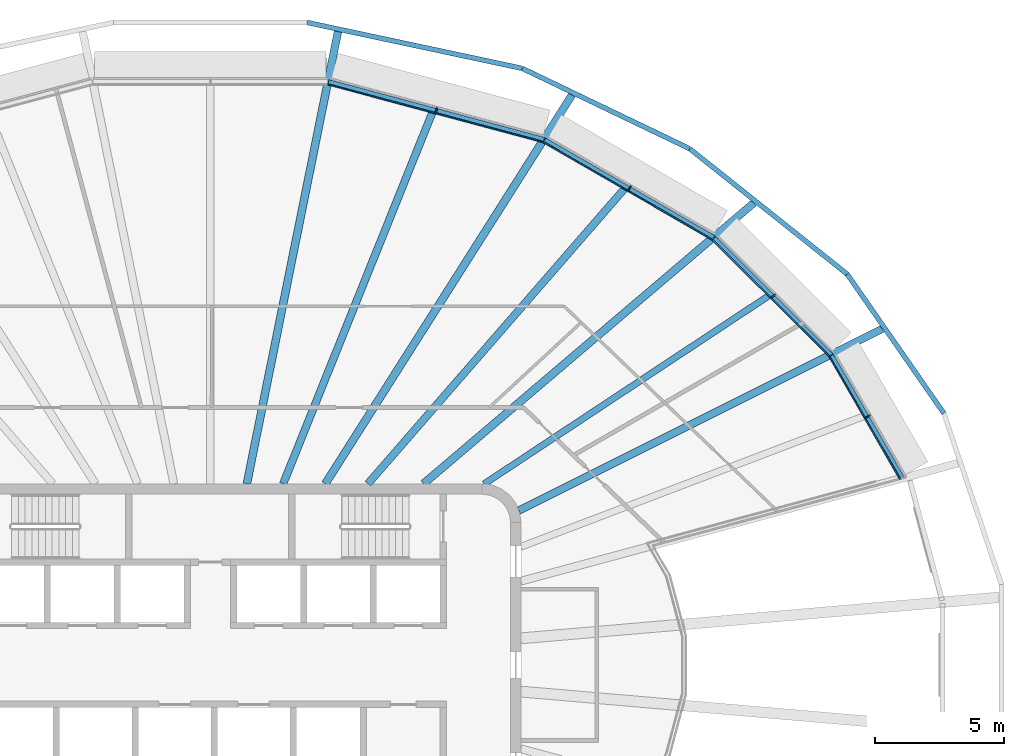
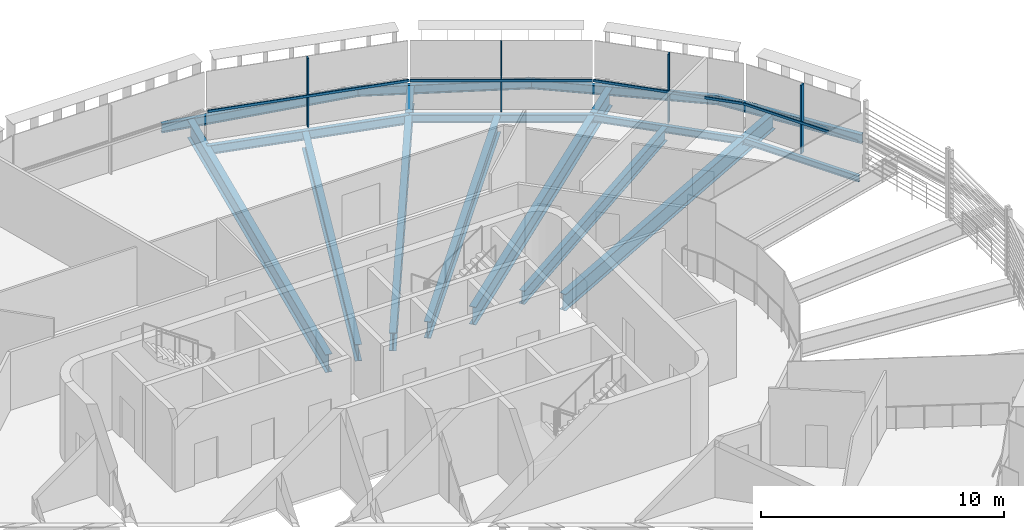
# One storey, part 6 of 17: 15 beams, 8 members, 4 elements without a shape of their own.
"""IFC4 building model written with IfcOpenShell, lengths in metres."""

from ifc_helpers import new_model, si_unit, direction, frame, origin, origin_2d, place, context, subcontext, project, spatial, rectangle, i_section, extrude, material, layer, layer_set, material_profile, profile_set, type_object, element, aggregate, save


model = new_model("IFC4")

# Units and contexts
model_context = context("Model", 3, precision=1e-05, world=origin(), true_north=direction((0.0, 1.0)))
body_context = subcontext(model_context, "Body", "Model", "MODEL_VIEW")
ifc_project = project(units=[si_unit("LENGTHUNIT", "METRE"), si_unit("AREAUNIT", "SQUARE_METRE"), si_unit("VOLUMEUNIT", "CUBIC_METRE"), si_unit("PLANEANGLEUNIT", "RADIAN"), si_unit("MASSUNIT", "GRAM", prefix="KILO")], contexts=[model_context])

# Site, building, storey
site_placement = place(None, origin())
site = spatial("IfcSite", under=ifc_project, at=site_placement, CompositionType="ELEMENT")
building_placement = place(site_placement, origin())
building = spatial("IfcBuilding", under=site, at=building_placement, Name="Sahrelin Media Tower", CompositionType="ELEMENT")
storey_placement = place(building_placement, frame((0.0, 0.0, 291.0)))
storey = spatial("IfcBuildingStorey", under=building, at=storey_placement, Name="L64", CompositionType="ELEMENT", Elevation=291.0)

# Beams
ifc_material_1 = material(Name="Steel S355", Category="steel")
ifc_material_profile_1 = material_profile(ifc_material_1, i_section(OverallWidth=0.1650390625, OverallDepth=0.303466796875, WebThickness=0.006103515625, FlangeThickness=0.01025390625, FilletRadius=0.0087890625, at=origin_2d()), Name="UB 305x165x40")
ifc_profile_set_1 = profile_set([ifc_material_profile_1], Name="Steel S355")
beam_type_1 = type_object("IfcBeamType", Name="Edge beam EB2", PredefinedType="BEAM", material=ifc_profile_set_1)
beam_1_placement = place(storey_placement, frame((23.9970703125, 11.9541015625, -0.3017578125), z_axis=(0.500020724563, -0.866013438122, 0.0), x_axis=(0.866013438122, 0.500020724563, 0.0)))
element("IfcBeam", 1, at=beam_1_placement, inside=storey, type_object=beam_type_1, Name="Edge beam L64-20", PredefinedType="BEAM", context=body_context, shape_type="SweptSolid", body=[
    extrude(i_section(OverallWidth=0.1650390625, OverallDepth=0.303466796875, WebThickness=0.006103515625, FlangeThickness=0.01025390625, FilletRadius=0.0087890625, at=origin_2d()), origin(), (0.0, 0.0, 1.0), 5.479248046875),
])
ifc_material_profile_2 = material_profile(ifc_material_1, i_section(OverallWidth=0.17138671875, OverallDepth=0.35498046875, WebThickness=0.00732421875, FlangeThickness=0.011474609375, FilletRadius=0.01025390625, at=origin_2d()), Name="UB 356x171x51")
ifc_profile_set_2 = profile_set([ifc_material_profile_2], Name="Steel S355")
beam_type_2 = type_object("IfcBeamType", Name="Edge beam EB3", PredefinedType="BEAM", material=ifc_profile_set_2)
beam_2_placement = place(storey_placement, frame((19.46728515625, 16.4892578125, -0.327392578125), z_axis=(0.707106781187, -0.707106781187, 0.0), x_axis=(0.707106781187, 0.707106781187, 0.0)))
element("IfcBeam", 2, at=beam_2_placement, inside=storey, type_object=beam_type_2, Name="Edge beam L64-19", PredefinedType="BEAM", context=body_context, shape_type="SweptSolid", body=[
    extrude(i_section(OverallWidth=0.17138671875, OverallDepth=0.35498046875, WebThickness=0.00732421875, FlangeThickness=0.011474609375, FilletRadius=0.01025390625, at=origin_2d()), origin(), (0.0, 0.0, 1.0), 6.381103515625),
])
ifc_material_profile_3 = material_profile(ifc_material_1, i_section(OverallWidth=0.177978515625, OverallDepth=0.406494140625, WebThickness=0.0078125, FlangeThickness=0.0126953125, FilletRadius=0.01025390625, at=origin_2d()), Name="UB 406x178x60")
ifc_profile_set_3 = profile_set([ifc_material_profile_3], Name="Steel S355")
beam_type_3 = type_object("IfcBeamType", Name="Edge beam EB4", PredefinedType="BEAM", material=ifc_profile_set_3)
beam_3_placement = place(storey_placement, frame((12.91259765625, 20.27783203125, -0.353271484375), z_axis=(0.866031418311, -0.499989582389, 0.0), x_axis=(0.499989582389, 0.866031418311, 0.0)))
element("IfcBeam", 3, at=beam_3_placement, inside=storey, type_object=beam_type_3, Name="Edge beam L64-18", PredefinedType="BEAM", context=body_context, shape_type="SweptSolid", body=[
    extrude(i_section(OverallWidth=0.177978515625, OverallDepth=0.406494140625, WebThickness=0.0078125, FlangeThickness=0.0126953125, FilletRadius=0.01025390625, at=origin_2d()), origin(), (0.0, 0.0, 1.0), 7.542236328125),
])
ifc_material_profile_4 = material_profile(ifc_material_1, i_section(OverallWidth=0.1904296875, OverallDepth=0.45703125, WebThickness=0.009033203125, FlangeThickness=0.014404296875, FilletRadius=0.01025390625, at=origin_2d()), Name="UB 457x191x74")
ifc_profile_set_4 = profile_set([ifc_material_profile_4], Name="Steel S355")
beam_type_4 = type_object("IfcBeamType", Name="Edge beam EB5", PredefinedType="BEAM", material=ifc_profile_set_4)
beam_4_placement = place(storey_placement, frame((4.5634765625, 22.518798828125, -0.37841796875), z_axis=(0.965926676494, -0.258815872073, 0.0), x_axis=(0.258815872073, 0.965926676494, 0.0)))
element("IfcBeam", 4, at=beam_4_placement, inside=storey, type_object=beam_type_4, Name="Edge beam L64-17", PredefinedType="BEAM", context=body_context, shape_type="SweptSolid", body=[
    extrude(i_section(OverallWidth=0.1904296875, OverallDepth=0.45703125, WebThickness=0.009033203125, FlangeThickness=0.014404296875, FilletRadius=0.01025390625, at=origin_2d()), origin(), (0.0, 0.0, 1.0), 8.615966796875),
])

# Curtain wall, member
ifc_material_2 = material(Name="Champagne anodised aluminium 6063-T6", Category="aluminium")
ifc_layer = layer(ifc_material_2, 0.14990234375)
ifc_layer_set = layer_set([ifc_layer], Name="Tower ribbon curtain wall")
curtain_wall_type = type_object("IfcCurtainWallType", Name="Tower ribbon curtain wall", PredefinedType="NOTDEFINED", material=ifc_layer_set)
curtain_wall_1_placement = place(storey_placement, frame((25.496826171875, 9.656494140625, 0.0), z_axis=(0.0, 0.0, 1.0), x_axis=(1.0, 0.0, 0.0)))
curtain_wall_1 = element("IfcCurtainWall", 5, at=curtain_wall_1_placement, inside=storey, type_object=curtain_wall_type, Name="L64:CW:L64-02", PredefinedType="NOTDEFINED")
ifc_material_profile_5 = material_profile(ifc_material_2, rectangle(XDim=0.06005859375, YDim=0.199951171875, at=origin_2d()), Name="Mullion 60x200")
ifc_profile_set_5 = profile_set([ifc_material_profile_5], Name="Champagne anodised aluminium 6063-T6")
member_type_1 = type_object("IfcMemberType", Name="Mullion 60x200 CW1C", PredefinedType="MULLION", material=ifc_profile_set_5)
member_1_placement = place(storey_placement, frame((25.392822265625, 9.596435546875, 0.0), z_axis=(0.0, 0.0, 1.0), x_axis=(-0.500003022996, 0.86602365845, 0.0)))
member_1 = element("IfcMember", 6, at=member_1_placement, type_object=member_type_1, Name="L64:CWM:L64-02", PredefinedType="MULLION", context=body_context, shape_type="SweptSolid", body=[
    extrude(rectangle(XDim=0.06005859375, YDim=0.199951171875, at=origin_2d()), origin(), (0.0, 0.0, 1.0), 3.448486328125),
])

curtain_wall_2_placement = place(storey_placement, frame((21.829345703125, 14.339111328125, 0.0), z_axis=(0.0, 0.0, 1.0), x_axis=(1.0, 0.0, 0.0)))
curtain_wall_2 = element("IfcCurtainWall", 7, at=curtain_wall_2_placement, inside=storey, type_object=curtain_wall_type, Name="L64:CW:L64-03", PredefinedType="NOTDEFINED")
member_2_placement = place(storey_placement, frame((21.744384765625, 14.25439453125, 0.0), z_axis=(0.0, 0.0, 1.0), x_axis=(-0.707106781187, 0.707106781187, 0.0)))
member_2 = element("IfcMember", 8, at=member_2_placement, type_object=member_type_1, Name="L64:CWM:L64-03", PredefinedType="MULLION", context=body_context, shape_type="SweptSolid", body=[
    extrude(rectangle(XDim=0.06005859375, YDim=0.199951171875, at=origin_2d()), origin(), (0.0, 0.0, 1.0), 3.448486328125),
])

curtain_wall_3_placement = place(storey_placement, frame((16.25341796875, 18.522216796875, 0.0), z_axis=(0.0, 0.0, 1.0), x_axis=(1.0, 0.0, 0.0)))
curtain_wall_3 = element("IfcCurtainWall", 9, at=curtain_wall_3_placement, inside=storey, type_object=curtain_wall_type, Name="L64:CW:L64-04", PredefinedType="NOTDEFINED")
member_3_placement = place(storey_placement, frame((16.193603515625, 18.418212890625, 0.0), z_axis=(0.0, 0.0, 1.0), x_axis=(-0.866026276448, 0.4999984885, 0.0)))
member_3 = element("IfcMember", 10, at=member_3_placement, type_object=member_type_1, Name="L64:CWM:L64-04", PredefinedType="MULLION", context=body_context, shape_type="SweptSolid", body=[
    extrude(rectangle(XDim=0.06005859375, YDim=0.199951171875, at=origin_2d()), origin(), (0.0, 0.0, 1.0), 3.448486328125),
])

curtain_wall_4_placement = place(storey_placement, frame((8.763671875, 21.548828125, 0.0), z_axis=(0.0, 0.0, 1.0), x_axis=(1.0, 0.0, 0.0)))
curtain_wall_4 = element("IfcCurtainWall", 11, at=curtain_wall_4_placement, inside=storey, type_object=curtain_wall_type, Name="L64:CW:L64-05", PredefinedType="NOTDEFINED")
member_4_placement = place(storey_placement, frame((8.732421875, 21.432861328125, 0.0), z_axis=(0.0, 0.0, 1.0), x_axis=(-0.965925826289, 0.258819045103, 0.0)))
member_4 = element("IfcMember", 12, at=member_4_placement, type_object=member_type_1, Name="L64:CWM:L64-05", PredefinedType="MULLION", context=body_context, shape_type="SweptSolid", body=[
    extrude(rectangle(XDim=0.06005859375, YDim=0.199951171875, at=origin_2d()), origin(), (0.0, 0.0, 1.0), 3.448486328125),
])

# Beams
ifc_material_profile_6 = material_profile(ifc_material_1, i_section(OverallWidth=0.291748046875, OverallDepth=0.8349609375, WebThickness=0.013916015625, FlangeThickness=0.018798828125, FilletRadius=0.017822265625, at=origin_2d()), Name="UB 838x292x176")
ifc_profile_set_6 = profile_set([ifc_material_profile_6], Name="Steel S355")
beam_type_5 = type_object("IfcBeamType", Name="Radial primary beam PB10", PredefinedType="BEAM", material=ifc_profile_set_6)
beam_5_placement = place(storey_placement, frame((11.918701171875, 5.961181640625, -0.5673828125), z_axis=(0.894364961322, 0.447338033214, 0.0), x_axis=(-0.447338033214, 0.894364961322, 0.0)))
element("IfcBeam", 13, at=beam_5_placement, inside=storey, type_object=beam_type_5, Name="Radial beam L64-03", PredefinedType="BEAM", context=body_context, shape_type="SweptSolid", body=[
    extrude(i_section(OverallWidth=0.291748046875, OverallDepth=0.8349609375, WebThickness=0.013916015625, FlangeThickness=0.018798828125, FilletRadius=0.017822265625, at=origin_2d()), origin(), (0.0, 0.0, 1.0), 15.695068359375),
])
ifc_material_profile_7 = material_profile(ifc_material_1, i_section(OverallWidth=0.30322265625, OverallDepth=0.903076171875, WebThickness=0.01513671875, FlangeThickness=0.020263671875, FilletRadius=0.01904296875, at=origin_2d()), Name="UB 914x305x201")
ifc_profile_set_7 = profile_set([ifc_material_profile_7], Name="Steel S355")
beam_type_6 = type_object("IfcBeamType", Name="Radial primary beam PB11", PredefinedType="BEAM", material=ifc_profile_set_7)
beam_6_placement = place(storey_placement, frame((8.23388671875, 7.0, -0.6015625), z_axis=(0.761882487724, 0.647715273017, 0.0), x_axis=(-0.647715273017, 0.761882487724, 0.0)))
element("IfcBeam", 14, at=beam_6_placement, inside=storey, type_object=beam_type_6, Name="Radial beam L64-04", PredefinedType="BEAM", context=body_context, shape_type="SweptSolid", body=[
    extrude(i_section(OverallWidth=0.30322265625, OverallDepth=0.903076171875, WebThickness=0.01513671875, FlangeThickness=0.020263671875, FilletRadius=0.01904296875, at=origin_2d()), origin(), (0.0, 0.0, 1.0), 16.748291015625),
])
beam_7_placement = place(storey_placement, frame((4.44091796875, 7.0, -0.6015625), z_axis=(0.535704376598, 0.844405602121, 0.0), x_axis=(-0.844405602121, 0.535704376598, 0.0)))
element("IfcBeam", 15, at=beam_7_placement, inside=storey, type_object=beam_type_6, Name="Radial beam L64-05", PredefinedType="BEAM", context=body_context, shape_type="SweptSolid", body=[
    extrude(i_section(OverallWidth=0.30322265625, OverallDepth=0.903076171875, WebThickness=0.01513671875, FlangeThickness=0.020263671875, FilletRadius=0.01904296875, at=origin_2d()), origin(), (0.0, 0.0, 1.0), 17.78662109375),
])
beam_8_placement = place(storey_placement, frame((1.41064453125, 7.0, -0.6015625), z_axis=(0.197562488047, 0.980290295431, 0.0), x_axis=(-0.980290295431, 0.197562488047, 0.0)))
element("IfcBeam", 16, at=beam_8_placement, inside=storey, type_object=beam_type_6, Name="Radial beam L64-06", PredefinedType="BEAM", context=body_context, shape_type="SweptSolid", body=[
    extrude(i_section(OverallWidth=0.30322265625, OverallDepth=0.903076171875, WebThickness=0.01513671875, FlangeThickness=0.020263671875, FilletRadius=0.01904296875, at=origin_2d()), origin(), (0.0, 0.0, 1.0), 17.818603515625),
])
ifc_material_profile_8 = material_profile(ifc_material_1, i_section(OverallWidth=0.291748046875, OverallDepth=0.8349609375, WebThickness=0.013916015625, FlangeThickness=0.018798828125, FilletRadius=0.017822265625, at=origin_2d()), Name="UB 838x292x176")
ifc_profile_set_8 = profile_set([ifc_material_profile_8], Name="Steel S355")
beam_type_7 = type_object("IfcBeamType", Name="Radial secondary beam SB10", PredefinedType="BEAM", material=ifc_profile_set_8)
beam_9_placement = place(storey_placement, frame((6.08740234375, 7.0, -0.5673828125), z_axis=(0.656204331857, 0.754583245806, 0.0), x_axis=(-0.754583245806, 0.656204331857, 0.0)))
element("IfcBeam", 17, at=beam_9_placement, inside=storey, type_object=beam_type_7, Name="Secondary beam L64-03", PredefinedType="BEAM", context=body_context, shape_type="SweptSolid", body=[
    extrude(i_section(OverallWidth=0.291748046875, OverallDepth=0.8349609375, WebThickness=0.013916015625, FlangeThickness=0.018798828125, FilletRadius=0.017822265625, at=origin_2d()), origin(), (0.0, 0.0, 1.0), 15.100830078125),
])
beam_10_placement = place(storey_placement, frame((2.81298828125, 7.0, -0.5673828125), z_axis=(0.372868678366, 0.927884124605, 0.0), x_axis=(-0.927884124605, 0.372868678366, 0.0)))
element("IfcBeam", 18, at=beam_10_placement, inside=storey, type_object=beam_type_7, Name="Secondary beam L64-04", PredefinedType="BEAM", context=body_context, shape_type="SweptSolid", body=[
    extrude(i_section(OverallWidth=0.291748046875, OverallDepth=0.8349609375, WebThickness=0.013916015625, FlangeThickness=0.018798828125, FilletRadius=0.017822265625, at=origin_2d()), origin(), (0.0, 0.0, 1.0), 15.459716796875),
])
ifc_material_profile_9 = material_profile(ifc_material_1, i_section(OverallWidth=0.2529296875, OverallDepth=0.677978515625, WebThickness=0.01171875, FlangeThickness=0.01611328125, FilletRadius=0.01513671875, at=origin_2d()), Name="UB 686x254x125")
ifc_profile_set_9 = profile_set([ifc_material_profile_9], Name="Steel S355")
beam_type_8 = type_object("IfcBeamType", Name="Radial secondary beam SB8", PredefinedType="BEAM", material=ifc_profile_set_9)
beam_11_placement = place(storey_placement, frame((10.572998046875, 6.990478515625, -0.489013671875), z_axis=(0.834171966274, 0.551504424899, 0.0), x_axis=(-0.551504424899, 0.834171966274, 0.0)))
element("IfcBeam", 19, at=beam_11_placement, inside=storey, type_object=beam_type_8, Name="Secondary beam L64-02", PredefinedType="BEAM", context=body_context, shape_type="SweptSolid", body=[
    extrude(i_section(OverallWidth=0.2529296875, OverallDepth=0.677978515625, WebThickness=0.01171875, FlangeThickness=0.01611328125, FilletRadius=0.01513671875, at=origin_2d()), origin(), (0.0, 0.0, 1.0), 13.18603515625),
])
ifc_material_profile_10 = material_profile(ifc_material_1, i_section(OverallWidth=0.1904296875, OverallDepth=0.45703125, WebThickness=0.009033203125, FlangeThickness=0.014404296875, FilletRadius=0.01025390625, at=origin_2d()), Name="UB 457x191x74")
ifc_profile_set_10 = profile_set([ifc_material_profile_10], Name="Steel S355")
beam_type_9 = type_object("IfcBeamType", Name="Tie chord TC5", PredefinedType="BEAM", material=ifc_profile_set_10)
beam_12_placement = place(storey_placement, frame((28.335693359375, 9.7236328125, -0.37841796875), z_axis=(-0.570606286012, 0.821223761446, 0.0), x_axis=(-0.821223761446, -0.570606286012, 0.0)))
element("IfcBeam", 20, at=beam_12_placement, inside=storey, type_object=beam_type_9, Name="Tie chord L64-02", PredefinedType="BEAM", context=body_context, shape_type="SweptSolid", body=[
    extrude(i_section(OverallWidth=0.1904296875, OverallDepth=0.45703125, WebThickness=0.009033203125, FlangeThickness=0.014404296875, FilletRadius=0.01025390625, at=origin_2d()), origin(), (0.0, 0.0, 1.0), 6.54248046875),
])
beam_13_placement = place(storey_placement, frame((24.6025390625, 15.096435546875, -0.37841796875), z_axis=(-0.782262590975, 0.622948825154, 0.0), x_axis=(-0.622948825154, -0.782262590975, 0.0)))
element("IfcBeam", 21, at=beam_13_placement, inside=storey, type_object=beam_type_9, Name="Tie chord L64-03", PredefinedType="BEAM", context=body_context, shape_type="SweptSolid", body=[
    extrude(i_section(OverallWidth=0.1904296875, OverallDepth=0.45703125, WebThickness=0.009033203125, FlangeThickness=0.014404296875, FilletRadius=0.01025390625, at=origin_2d()), origin(), (0.0, 0.0, 1.0), 7.78173828125),
])
beam_14_placement = place(storey_placement, frame((18.51513671875, 19.944091796875, -0.37841796875), z_axis=(-0.901632989359, 0.432501968202, 0.0), x_axis=(-0.432501968202, -0.901632989359, 0.0)))
element("IfcBeam", 22, at=beam_14_placement, inside=storey, type_object=beam_type_9, Name="Tie chord L64-04", PredefinedType="BEAM", context=body_context, shape_type="SweptSolid", body=[
    extrude(i_section(OverallWidth=0.1904296875, OverallDepth=0.45703125, WebThickness=0.009033203125, FlangeThickness=0.014404296875, FilletRadius=0.01025390625, at=origin_2d()), origin(), (0.0, 0.0, 1.0), 7.171875),
])
beam_15_placement = place(storey_placement, frame((12.048828125, 23.0458984375, -0.37841796875), z_axis=(-0.977981898463, 0.208689736877, 0.0), x_axis=(-0.208689736877, -0.977981898463, 0.0)))
element("IfcBeam", 23, at=beam_15_placement, inside=storey, type_object=beam_type_9, Name="Tie chord L64-05", PredefinedType="BEAM", context=body_context, shape_type="SweptSolid", body=[
    extrude(i_section(OverallWidth=0.1904296875, OverallDepth=0.45703125, WebThickness=0.009033203125, FlangeThickness=0.014404296875, FilletRadius=0.01025390625, at=origin_2d()), origin(), (0.0, 0.0, 1.0), 8.502685546875),
])

# Member
ifc_material_profile_11 = material_profile(ifc_material_2, rectangle(XDim=0.050048828125, YDim=0.1201171875, at=origin_2d()), Name="Transom 50x120")
ifc_profile_set_11 = profile_set([ifc_material_profile_11], Name="Champagne anodised aluminium 6063-T6")
member_type_2 = type_object("IfcMemberType", Name="Transom 50x120 CW1C", PredefinedType="USERDEFINED", material=ifc_profile_set_11)
member_5_placement = place(storey_placement, frame((26.646484375, 7.175048828125, 1.60009765625), z_axis=(-0.499990120084, 0.866031107881, 0.0), x_axis=(-0.866031107881, -0.499990120084, 0.0)))
member_5 = element("IfcMember", 24, at=member_5_placement, type_object=member_type_2, Name="L64:CWT:L64-02", ObjectType="TRANSOM", PredefinedType="USERDEFINED", context=body_context, shape_type="SweptSolid", body=[
    extrude(rectangle(XDim=0.050048828125, YDim=0.1201171875, at=origin_2d()), origin(), (0.0, 0.0, 1.0), 5.44775390625),
])

aggregate(curtain_wall_1, [member_1, member_5])

member_6_placement = place(storey_placement, frame((23.901123046875, 11.9208984375, 1.60009765625), z_axis=(-0.707106781187, 0.707106781187, 0.0), x_axis=(-0.707106781187, -0.707106781187, 0.0)))
member_6 = element("IfcMember", 25, at=member_6_placement, type_object=member_type_2, Name="L64:CWT:L64-03", ObjectType="TRANSOM", PredefinedType="USERDEFINED", context=body_context, shape_type="SweptSolid", body=[
    extrude(rectangle(XDim=0.050048828125, YDim=0.1201171875, at=origin_2d()), origin(), (0.0, 0.0, 1.0), 6.349853515625),
])

aggregate(curtain_wall_2, [member_2, member_6])

member_7_placement = place(storey_placement, frame((19.38330078125, 16.432373046875, 1.60009765625), z_axis=(-0.866022108301, 0.500005707901, 0.0), x_axis=(-0.500005707901, -0.866022108301, 0.0)))
member_7 = element("IfcMember", 26, at=member_7_placement, type_object=member_type_2, Name="L64:CWT:L64-04", ObjectType="TRANSOM", PredefinedType="USERDEFINED", context=body_context, shape_type="SweptSolid", body=[
    extrude(rectangle(XDim=0.050048828125, YDim=0.1201171875, at=origin_2d()), origin(), (0.0, 0.0, 1.0), 7.5107421875),
])

aggregate(curtain_wall_3, [member_3, member_7])

member_8_placement = place(storey_placement, frame((12.84619140625, 20.201171875, 1.60009765625), z_axis=(-0.965925074938, 0.258821849168, 0.0), x_axis=(-0.258821849168, -0.965925074938, 0.0)))
member_8 = element("IfcMember", 27, at=member_8_placement, type_object=member_type_2, Name="L64:CWT:L64-05", ObjectType="TRANSOM", PredefinedType="USERDEFINED", context=body_context, shape_type="SweptSolid", body=[
    extrude(rectangle(XDim=0.050048828125, YDim=0.1201171875, at=origin_2d()), origin(), (0.0, 0.0, 1.0), 8.584716796875),
])

aggregate(curtain_wall_4, [member_4, member_8])

save(model, "model.ifc")
